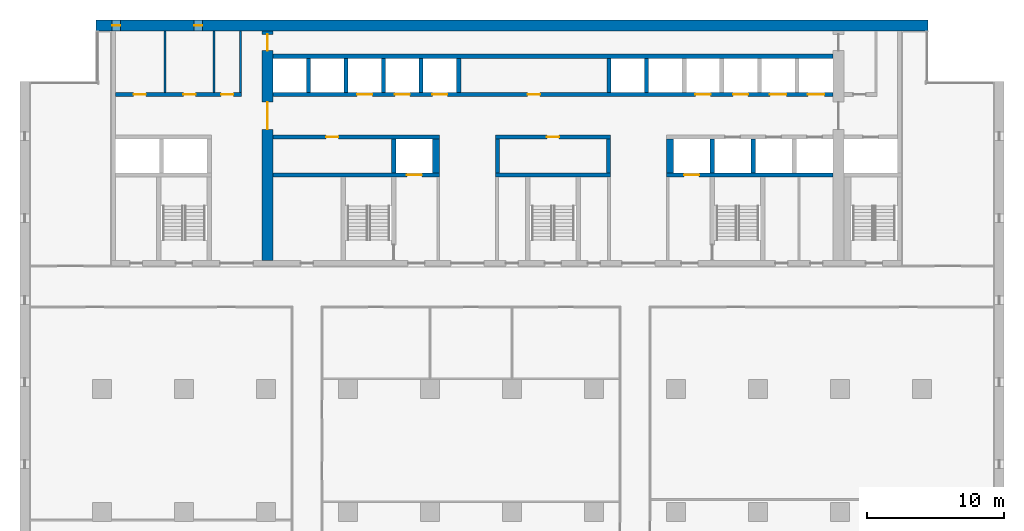
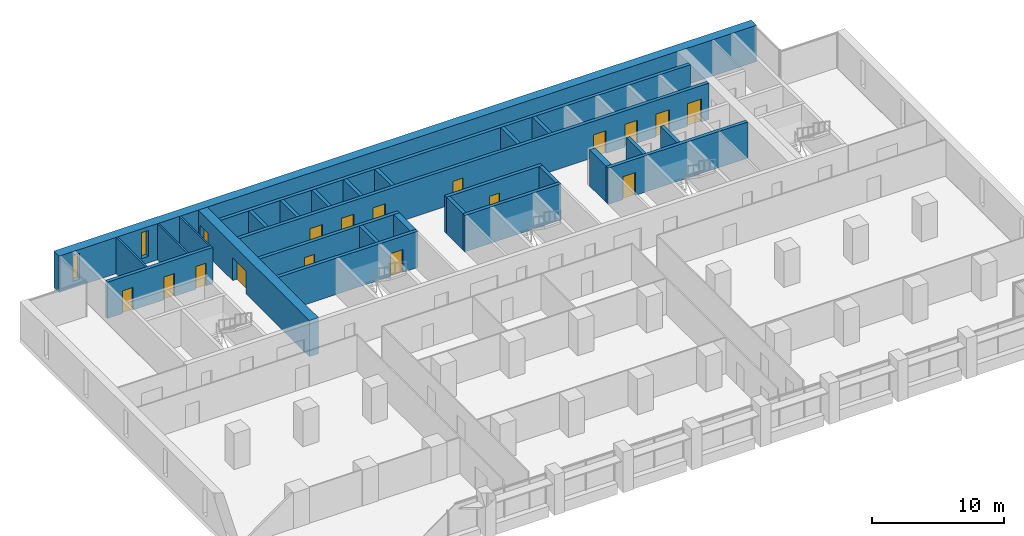
# One storey, part 10 of 15: 27 walls, 17 doors, 2 windows, 19 openings.
"""IFC4 building model written with IfcOpenShell, lengths in metres."""

from ifc_helpers import new_model, si_unit, direction, frame, frame_2d, origin, place, context, subcontext, project, spatial, rectangle, extrude, material, layer, layer_set, type_object, element, fill, save


model = new_model("IFC4")

# Units and contexts
model_context = context("Model", 3, precision=1e-05, world=origin(), true_north=direction((0.0, 1.0)))
body_context = subcontext(model_context, "Body", "Model", "MODEL_VIEW")
ifc_project = project(units=[si_unit("LENGTHUNIT", "METRE"), si_unit("AREAUNIT", "SQUARE_METRE"), si_unit("VOLUMEUNIT", "CUBIC_METRE"), si_unit("PLANEANGLEUNIT", "RADIAN"), si_unit("MASSUNIT", "GRAM", prefix="KILO")], contexts=[model_context])

# Site, building, storey
site_placement = place(None, origin())
site = spatial("IfcSite", under=ifc_project, at=site_placement, CompositionType="ELEMENT")
building_placement = place(site_placement, origin())
building = spatial("IfcBuilding", under=site, at=building_placement, Name="Calvaro Tower", CompositionType="ELEMENT")
storey_placement = place(building_placement, frame((0.0, 0.0, 106.25)))
storey = spatial("IfcBuildingStorey", under=building, at=storey_placement, Name="L26", CompositionType="ELEMENT", Elevation=106.25)

# Walls
ifc_material_1 = material(Name="Blockwork partition", Category="masonry")
ifc_layer_1 = layer(ifc_material_1, 0.14990234375)
ifc_layer_set_1 = layer_set([ifc_layer_1], Name="Blockwork partition")
wall_type_1 = type_object("IfcWallType", Name="Core partition 150 EI 60", PredefinedType="PARTITIONING", material=ifc_layer_set_1)
for number, where, z_axis, x_axis, name in (
    (1, (10.60009765625, 40.699951171875, 0.0), (0.0, 0.0, 1.0), (0.0, 1.0, 0.0), "Core partition"),
    (2, (14.199951171875, 40.699951171875, 0.0), (0.0, 0.0, 1.0), (0.0, 1.0, 0.0), "Core partition"),
):
    element("IfcWall", number, at=place(storey_placement, frame(where, z_axis=z_axis, x_axis=x_axis)), inside=storey, type_object=wall_type_1, Name=name, PredefinedType="PARTITIONING", context=body_context, shape_type="SweptSolid", body=[
        extrude(rectangle(XDim=4.5, YDim=0.14990234375, at=frame_2d((2.25, 0.0))), origin(), (0.0, 0.0, 1.0), 3.35009765625),
    ])
ifc_material_2 = material(Name="Blockwork partition", Category="masonry")
ifc_layer_2 = layer(ifc_material_2, 0.14990234375)
ifc_layer_set_2 = layer_set([ifc_layer_2], Name="Blockwork partition")
wall_type_2 = type_object("IfcWallType", Name="Core partition 150 REI 120", PredefinedType="PARTITIONING", material=ifc_layer_set_2)
wall_1_placement = place(storey_placement, frame((16.125, 40.699951171875, 0.0), z_axis=(0.0, 0.0, 1.0), x_axis=(0.0, 1.0, 0.0)))
element("IfcWall", 3, at=wall_1_placement, inside=storey, type_object=wall_type_2, Name="Core partition", PredefinedType="PARTITIONING", context=body_context, shape_type="SweptSolid", body=[
    extrude(rectangle(XDim=4.5, YDim=0.14990234375, at=frame_2d((2.25, 0.0))), origin(), (0.0, 0.0, 1.0), 3.35009765625),
])

# Wall, openings, doors
ifc_material_3 = material(Name="Blockwork partition", Category="masonry")
ifc_layer_3 = layer(ifc_material_3, 0.300048828125)
ifc_layer_set_3 = layer_set([ifc_layer_3], Name="Blockwork partition")
wall_type_3 = type_object("IfcWallType", Name="Core partition 300 REI 120", PredefinedType="PARTITIONING", material=ifc_layer_set_3)
wall_2_placement = place(storey_placement, frame((7.0, 40.550048828125, 0.0), z_axis=(0.0, 0.0, 1.0), x_axis=(1.0, 0.0, 0.0)))
wall_2 = element("IfcWall", 4, at=wall_2_placement, inside=storey, type_object=wall_type_3, Name="Core partition", PredefinedType="PARTITIONING", context=body_context, shape_type="SweptSolid", body=[
    extrude(rectangle(XDim=9.199951171875, YDim=0.300048828125, at=frame_2d((4.60009765625, 0.0))), origin(), (0.0, 0.0, 1.0), 3.35009765625),
])
opening_1_placement = place(wall_2_placement, frame((1.3125, 0.0, 0.0)))
opening_1 = element("IfcOpeningElement", 5, at=opening_1_placement, cuts=wall_2, Name="Opening RD9", PredefinedType="OPENING", context=body_context, shape_type="SweptSolid", body=[
    extrude(rectangle(XDim=0.89990234375, YDim=2.10009765625, at=frame_2d((0.449951171875, 1.050048828125))), frame((0.0, 0.159912109375, 0.0), z_axis=(0.0, -1.0, 0.0), x_axis=(1.0, 0.0, 0.0)), (0.0, 0.0, 1.0), 0.320068359375),
])
opening_2_placement = place(wall_2_placement, frame((4.949951171875, 0.0, 0.0)))
opening_2 = element("IfcOpeningElement", 6, at=opening_2_placement, cuts=wall_2, Name="Opening RD9", PredefinedType="OPENING", context=body_context, shape_type="SweptSolid", body=[
    extrude(rectangle(XDim=0.89990234375, YDim=2.10009765625, at=frame_2d((0.449951171875, 1.050048828125))), frame((0.0, 0.159912109375, 0.0), z_axis=(0.0, -1.0, 0.0), x_axis=(1.0, 0.0, 0.0)), (0.0, 0.0, 1.0), 0.320068359375),
])
opening_3_placement = place(wall_2_placement, frame((7.71240234375, 0.0, 0.0)))
opening_3 = element("IfcOpeningElement", 7, at=opening_3_placement, cuts=wall_2, Name="Opening RD9", PredefinedType="OPENING", context=body_context, shape_type="SweptSolid", body=[
    extrude(rectangle(XDim=0.89990234375, YDim=2.10009765625, at=frame_2d((0.449951171875, 1.050048828125))), frame((0.0, 0.159912109375, 0.0), z_axis=(0.0, -1.0, 0.0), x_axis=(1.0, 0.0, 0.0)), (0.0, 0.0, 1.0), 0.320068359375),
])
ifc_material_4 = material(Name="Steel door set", Category="steel")
door_type_1 = type_object("IfcDoorType", Name="Room door 900", OperationType="SINGLE_SWING_LEFT", PredefinedType="DOOR", material=ifc_material_4)
door_1_placement = place(opening_1_placement, origin())
door_1 = element("IfcDoor", 8, at=door_1_placement, inside=storey, type_object=door_type_1, Name="Room door", OperationType="SINGLE_SWING_LEFT", OverallHeight=2.10009765625, OverallWidth=0.89990234375, PredefinedType="DOOR", context=body_context, shape_type="SweptSolid", body=[
    extrude(rectangle(XDim=0.89990234375, YDim=2.10009765625, at=frame_2d((0.449951171875, 1.050048828125))), frame((0.0, 0.02490234375, 0.0), z_axis=(0.0, -1.0, 0.0), x_axis=(1.0, 0.0, 0.0)), (0.0, 0.0, 1.0), 0.050048828125),
])
fill(opening_1, door_1)
door_2_placement = place(opening_2_placement, origin())
door_2 = element("IfcDoor", 9, at=door_2_placement, inside=storey, type_object=door_type_1, Name="Room door", OperationType="SINGLE_SWING_LEFT", OverallHeight=2.10009765625, OverallWidth=0.89990234375, PredefinedType="DOOR", context=body_context, shape_type="SweptSolid", body=[
    extrude(rectangle(XDim=0.89990234375, YDim=2.10009765625, at=frame_2d((0.449951171875, 1.050048828125))), frame((0.0, 0.02490234375, 0.0), z_axis=(0.0, -1.0, 0.0), x_axis=(1.0, 0.0, 0.0)), (0.0, 0.0, 1.0), 0.050048828125),
])
fill(opening_2, door_2)
door_3_placement = place(opening_3_placement, origin())
door_3 = element("IfcDoor", 10, at=door_3_placement, inside=storey, type_object=door_type_1, Name="Room door", OperationType="SINGLE_SWING_LEFT", OverallHeight=2.10009765625, OverallWidth=0.89990234375, PredefinedType="DOOR", context=body_context, shape_type="SweptSolid", body=[
    extrude(rectangle(XDim=0.89990234375, YDim=2.10009765625, at=frame_2d((0.449951171875, 1.050048828125))), frame((0.0, 0.02490234375, 0.0), z_axis=(0.0, -1.0, 0.0), x_axis=(1.0, 0.0, 0.0)), (0.0, 0.0, 1.0), 0.050048828125),
])
fill(opening_3, door_3)

# Wall, opening, door
ifc_material_5 = material(Name="Concrete C60/75", Category="concrete")
ifc_layer_4 = layer(ifc_material_5, 0.300048828125)
ifc_layer_set_4 = layer_set([ifc_layer_4], Name="Concrete C60/75")
wall_type_4 = type_object("IfcWallType", Name="Core wall C60/75 300", PredefinedType="SHEAR", material=ifc_layer_set_4)
wall_3_placement = place(storey_placement, frame((18.5, 34.64990234375, 0.0), z_axis=(0.0, 0.0, 1.0), x_axis=(1.0, 0.0, 0.0)))
wall_3 = element("IfcWall", 11, at=wall_3_placement, inside=storey, type_object=wall_type_4, Name="Core wall, lift shaft", PredefinedType="SHEAR", context=body_context, shape_type="SweptSolid", body=[
    extrude(rectangle(XDim=12.199951171875, YDim=0.300048828125, at=frame_2d((6.10009765625, 0.0))), origin(), (0.0, 0.0, 1.0), 3.35009765625),
])
opening_4_placement = place(wall_3_placement, frame((9.800048828125, 0.0, 0.0)))
opening_4 = element("IfcOpeningElement", 12, at=opening_4_placement, cuts=wall_3, Name="Opening FF1", PredefinedType="OPENING", context=body_context, shape_type="SweptSolid", body=[
    extrude(rectangle(XDim=1.10009765625, YDim=2.10009765625, at=frame_2d((0.550048828125, 1.050048828125))), frame((0.0, 0.159912109375, 0.0), z_axis=(0.0, -1.0, 0.0), x_axis=(1.0, 0.0, 0.0)), (0.0, 0.0, 1.0), 0.320068359375),
])
ifc_material_6 = material(Name="Stainless steel", Category="steel")
door_type_2 = type_object("IfcDoorType", Name="Landing door 1100 E 60", OperationType="SLIDING_TO_LEFT", PredefinedType="DOOR", material=ifc_material_6)
door_4_placement = place(opening_4_placement, origin())
door_4 = element("IfcDoor", 13, at=door_4_placement, inside=storey, type_object=door_type_2, Name="Landing door FF1", OperationType="SLIDING_TO_LEFT", OverallHeight=2.10009765625, OverallWidth=1.10009765625, PredefinedType="DOOR", context=body_context, shape_type="SweptSolid", body=[
    extrude(rectangle(XDim=1.10009765625, YDim=2.10009765625, at=frame_2d((0.550048828125, 1.050048828125))), frame((0.0, 0.02490234375, 0.0), z_axis=(0.0, -1.0, 0.0), x_axis=(1.0, 0.0, 0.0)), (0.0, 0.0, 1.0), 0.050048828125),
])
fill(opening_4, door_4)

# Wall
wall_4_placement = place(storey_placement, frame((34.800048828125, 34.64990234375, 0.0), z_axis=(0.0, 0.0, 1.0), x_axis=(1.0, 0.0, 0.0)))
element("IfcWall", 14, at=wall_4_placement, inside=storey, type_object=wall_type_4, Name="Core wall, lift shaft", PredefinedType="SHEAR", context=body_context, shape_type="SweptSolid", body=[
    extrude(rectangle(XDim=8.39990234375, YDim=0.300048828125, at=frame_2d((4.199951171875, 0.0))), origin(), (0.0, 0.0, 1.0), 3.35009765625),
])

# Wall, opening, door
wall_5_placement = place(storey_placement, frame((47.300048828125, 34.64990234375, 0.0), z_axis=(0.0, 0.0, 1.0), x_axis=(1.0, 0.0, 0.0)))
wall_5 = element("IfcWall", 15, at=wall_5_placement, inside=storey, type_object=wall_type_4, Name="Core wall, lift shaft", PredefinedType="SHEAR", context=body_context, shape_type="SweptSolid", body=[
    extrude(rectangle(XDim=12.199951171875, YDim=0.300048828125, at=frame_2d((6.10009765625, 0.0))), origin(), (0.0, 0.0, 1.0), 3.35009765625),
])
opening_5_placement = place(wall_5_placement, frame((1.300048828125, 0.0, 0.0)))
opening_5 = element("IfcOpeningElement", 16, at=opening_5_placement, cuts=wall_5, Name="Opening FF2", PredefinedType="OPENING", context=body_context, shape_type="SweptSolid", body=[
    extrude(rectangle(XDim=1.10009765625, YDim=2.10009765625, at=frame_2d((0.550048828125, 1.050048828125))), frame((0.0, 0.159912109375, 0.0), z_axis=(0.0, -1.0, 0.0), x_axis=(1.0, 0.0, 0.0)), (0.0, 0.0, 1.0), 0.320068359375),
])
door_5_placement = place(opening_5_placement, origin())
door_5 = element("IfcDoor", 17, at=door_5_placement, inside=storey, type_object=door_type_2, Name="Landing door FF2", OperationType="SLIDING_TO_LEFT", OverallHeight=2.10009765625, OverallWidth=1.10009765625, PredefinedType="DOOR", context=body_context, shape_type="SweptSolid", body=[
    extrude(rectangle(XDim=1.10009765625, YDim=2.10009765625, at=frame_2d((0.550048828125, 1.050048828125))), frame((0.0, 0.02490234375, 0.0), z_axis=(0.0, -1.0, 0.0), x_axis=(1.0, 0.0, 0.0)), (0.0, 0.0, 1.0), 0.050048828125),
])
fill(opening_5, door_5)

wall_6_placement = place(storey_placement, frame((30.699951171875, 37.449951171875, 0.0), z_axis=(0.0, 0.0, 1.0), x_axis=(-1.0, 0.0, 0.0)))
wall_6 = element("IfcWall", 18, at=wall_6_placement, inside=storey, type_object=wall_type_4, Name="Core wall, bay", PredefinedType="SHEAR", context=body_context, shape_type="SweptSolid", body=[
    extrude(rectangle(XDim=12.199951171875, YDim=0.300048828125, at=frame_2d((6.10009765625, 0.0))), origin(), (0.0, 0.0, 1.0), 3.35009765625),
])
opening_6_placement = place(wall_6_placement, frame((7.39990234375, 0.0, 0.0)))
opening_6 = element("IfcOpeningElement", 19, at=opening_6_placement, cuts=wall_6, Name="Opening RD9E", PredefinedType="OPENING", context=body_context, shape_type="SweptSolid", body=[
    extrude(rectangle(XDim=0.89990234375, YDim=2.10009765625, at=frame_2d((0.449951171875, 1.050048828125))), frame((0.0, 0.159912109375, 0.0), z_axis=(0.0, -1.0, 0.0), x_axis=(1.0, 0.0, 0.0)), (0.0, 0.0, 1.0), 0.320068359375),
])
ifc_material_7 = material(Name="Steel door set", Category="steel")
door_type_3 = type_object("IfcDoorType", Name="Room door 900 FD60", OperationType="SINGLE_SWING_LEFT", PredefinedType="DOOR", material=ifc_material_7)
door_6_placement = place(opening_6_placement, origin())
door_6 = element("IfcDoor", 20, at=door_6_placement, inside=storey, type_object=door_type_3, Name="Room door", OperationType="SINGLE_SWING_LEFT", OverallHeight=2.10009765625, OverallWidth=0.89990234375, PredefinedType="DOOR", context=body_context, shape_type="SweptSolid", body=[
    extrude(rectangle(XDim=0.89990234375, YDim=2.10009765625, at=frame_2d((0.449951171875, 1.050048828125))), frame((0.0, 0.02490234375, 0.0), z_axis=(0.0, -1.0, 0.0), x_axis=(1.0, 0.0, 0.0)), (0.0, 0.0, 1.0), 0.050048828125),
])
fill(opening_6, door_6)

wall_7_placement = place(storey_placement, frame((43.199951171875, 37.449951171875, 0.0), z_axis=(0.0, 0.0, 1.0), x_axis=(-1.0, 0.0, 0.0)))
wall_7 = element("IfcWall", 21, at=wall_7_placement, inside=storey, type_object=wall_type_4, Name="Core wall, bay", PredefinedType="SHEAR", context=body_context, shape_type="SweptSolid", body=[
    extrude(rectangle(XDim=8.39990234375, YDim=0.300048828125, at=frame_2d((4.199951171875, 0.0))), origin(), (0.0, 0.0, 1.0), 3.35009765625),
])
opening_7_placement = place(wall_7_placement, frame((3.75, 0.0, 0.0)))
opening_7 = element("IfcOpeningElement", 22, at=opening_7_placement, cuts=wall_7, Name="Opening RD9E", PredefinedType="OPENING", context=body_context, shape_type="SweptSolid", body=[
    extrude(rectangle(XDim=0.89990234375, YDim=2.10009765625, at=frame_2d((0.449951171875, 1.050048828125))), frame((0.0, 0.159912109375, 0.0), z_axis=(0.0, -1.0, 0.0), x_axis=(1.0, 0.0, 0.0)), (0.0, 0.0, 1.0), 0.320068359375),
])
door_7_placement = place(opening_7_placement, origin())
door_7 = element("IfcDoor", 23, at=door_7_placement, inside=storey, type_object=door_type_3, Name="Room door", OperationType="SINGLE_SWING_RIGHT", OverallHeight=2.10009765625, OverallWidth=0.89990234375, PredefinedType="DOOR", context=body_context, shape_type="SweptSolid", body=[
    extrude(rectangle(XDim=0.89990234375, YDim=2.10009765625, at=frame_2d((0.449951171875, 1.050048828125))), frame((0.0, 0.02490234375, 0.0), z_axis=(0.0, -1.0, 0.0), x_axis=(1.0, 0.0, 0.0)), (0.0, 0.0, 1.0), 0.050048828125),
])
fill(opening_7, door_7)

# Walls
for number, where, z_axis, x_axis, name in (
    (24, (27.35009765625, 34.800048828125, 0.0), (0.0, 0.0, 1.0), (0.0, 1.0, 0.0), "Core wall, lift shaft"),
    (25, (34.949951171875, 34.800048828125, 0.0), (0.0, 0.0, 1.0), (0.0, 1.0, 0.0), "Core wall, lift shaft"),
    (26, (43.050048828125, 34.800048828125, 0.0), (0.0, 0.0, 1.0), (0.0, 1.0, 0.0), "Core wall, lift shaft"),
    (27, (50.64990234375, 34.800048828125, 0.0), (0.0, 0.0, 1.0), (0.0, 1.0, 0.0), "Core wall, lift shaft"),
):
    element("IfcWall", number, at=place(storey_placement, frame(where, z_axis=z_axis, x_axis=x_axis)), inside=storey, type_object=wall_type_4, Name=name, PredefinedType="SHEAR", context=body_context, shape_type="SweptSolid", body=[
        extrude(rectangle(XDim=2.5, YDim=0.300048828125, at=frame_2d((1.25, 0.0))), origin(), (0.0, 0.0, 1.0), 3.35009765625),
    ])

# Wall, openings, doors
wall_8_placement = place(storey_placement, frame((18.5, 40.550048828125, 0.0), z_axis=(0.0, 0.0, 1.0), x_axis=(1.0, 0.0, 0.0)))
wall_8 = element("IfcWall", 28, at=wall_8_placement, inside=storey, type_object=wall_type_4, Name="Core wall, bay", PredefinedType="SHEAR", context=body_context, shape_type="SweptSolid", body=[
    extrude(rectangle(XDim=41.0, YDim=0.300048828125, at=frame_2d((20.5, 0.0))), origin(), (0.0, 0.0, 1.0), 3.35009765625),
])
opening_8_placement = place(wall_8_placement, frame((18.64990234375, 0.0, 0.0)))
opening_8 = element("IfcOpeningElement", 29, at=opening_8_placement, cuts=wall_8, Name="Opening RD9E", PredefinedType="OPENING", context=body_context, shape_type="SweptSolid", body=[
    extrude(rectangle(XDim=0.89990234375, YDim=2.10009765625, at=frame_2d((0.449951171875, 1.050048828125))), frame((0.0, 0.159912109375, 0.0), z_axis=(0.0, -1.0, 0.0), x_axis=(1.0, 0.0, 0.0)), (0.0, 0.0, 1.0), 0.320068359375),
])
opening_9_placement = place(wall_8_placement, frame((6.175048828125, 0.0, 0.0)))
opening_9 = element("IfcOpeningElement", 30, at=opening_9_placement, cuts=wall_8, Name="Opening MR4", PredefinedType="OPENING", context=body_context, shape_type="SweptSolid", body=[
    extrude(rectangle(XDim=1.10009765625, YDim=2.10009765625, at=frame_2d((0.550048828125, 1.050048828125))), frame((0.0, 0.159912109375, 0.0), z_axis=(0.0, -1.0, 0.0), x_axis=(1.0, 0.0, 0.0)), (0.0, 0.0, 1.0), 0.320068359375),
])
opening_10_placement = place(wall_8_placement, frame((8.925048828125, 0.0, 0.0)))
opening_10 = element("IfcOpeningElement", 31, at=opening_10_placement, cuts=wall_8, Name="Opening MR5", PredefinedType="OPENING", context=body_context, shape_type="SweptSolid", body=[
    extrude(rectangle(XDim=1.10009765625, YDim=2.10009765625, at=frame_2d((0.550048828125, 1.050048828125))), frame((0.0, 0.159912109375, 0.0), z_axis=(0.0, -1.0, 0.0), x_axis=(1.0, 0.0, 0.0)), (0.0, 0.0, 1.0), 0.320068359375),
])
opening_11_placement = place(wall_8_placement, frame((11.675048828125, 0.0, 0.0)))
opening_11 = element("IfcOpeningElement", 32, at=opening_11_placement, cuts=wall_8, Name="Opening MR6", PredefinedType="OPENING", context=body_context, shape_type="SweptSolid", body=[
    extrude(rectangle(XDim=1.10009765625, YDim=2.10009765625, at=frame_2d((0.550048828125, 1.050048828125))), frame((0.0, 0.159912109375, 0.0), z_axis=(0.0, -1.0, 0.0), x_axis=(1.0, 0.0, 0.0)), (0.0, 0.0, 1.0), 0.320068359375),
])
opening_12_placement = place(wall_8_placement, frame((30.925048828125, 0.0, 0.0)))
opening_12 = element("IfcOpeningElement", 33, at=opening_12_placement, cuts=wall_8, Name="Opening MR7", PredefinedType="OPENING", context=body_context, shape_type="SweptSolid", body=[
    extrude(rectangle(XDim=1.10009765625, YDim=2.10009765625, at=frame_2d((0.550048828125, 1.050048828125))), frame((0.0, 0.159912109375, 0.0), z_axis=(0.0, -1.0, 0.0), x_axis=(1.0, 0.0, 0.0)), (0.0, 0.0, 1.0), 0.320068359375),
])
opening_13_placement = place(wall_8_placement, frame((33.675048828125, 0.0, 0.0)))
opening_13 = element("IfcOpeningElement", 34, at=opening_13_placement, cuts=wall_8, Name="Opening MR8", PredefinedType="OPENING", context=body_context, shape_type="SweptSolid", body=[
    extrude(rectangle(XDim=1.10009765625, YDim=2.10009765625, at=frame_2d((0.550048828125, 1.050048828125))), frame((0.0, 0.159912109375, 0.0), z_axis=(0.0, -1.0, 0.0), x_axis=(1.0, 0.0, 0.0)), (0.0, 0.0, 1.0), 0.320068359375),
])
opening_14_placement = place(wall_8_placement, frame((36.375, 0.0, 0.0)))
opening_14 = element("IfcOpeningElement", 35, at=opening_14_placement, cuts=wall_8, Name="Opening SV1", PredefinedType="OPENING", context=body_context, shape_type="SweptSolid", body=[
    extrude(rectangle(XDim=1.199951171875, YDim=2.10009765625, at=frame_2d((0.60009765625, 1.050048828125))), frame((0.0, 0.159912109375, 0.0), z_axis=(0.0, -1.0, 0.0), x_axis=(1.0, 0.0, 0.0)), (0.0, 0.0, 1.0), 0.320068359375),
])
opening_15_placement = place(wall_8_placement, frame((39.14990234375, 0.0, 0.0)))
opening_15 = element("IfcOpeningElement", 36, at=opening_15_placement, cuts=wall_8, Name="Opening SV2", PredefinedType="OPENING", context=body_context, shape_type="SweptSolid", body=[
    extrude(rectangle(XDim=1.199951171875, YDim=2.10009765625, at=frame_2d((0.60009765625, 1.050048828125))), frame((0.0, 0.159912109375, 0.0), z_axis=(0.0, -1.0, 0.0), x_axis=(1.0, 0.0, 0.0)), (0.0, 0.0, 1.0), 0.320068359375),
])
door_8_placement = place(opening_9_placement, origin())
door_8 = element("IfcDoor", 37, at=door_8_placement, inside=storey, type_object=door_type_2, Name="Landing door MR4", OperationType="SLIDING_TO_LEFT", OverallHeight=2.10009765625, OverallWidth=1.10009765625, PredefinedType="DOOR", context=body_context, shape_type="SweptSolid", body=[
    extrude(rectangle(XDim=1.10009765625, YDim=2.10009765625, at=frame_2d((0.550048828125, 1.050048828125))), frame((0.0, 0.02490234375, 0.0), z_axis=(0.0, -1.0, 0.0), x_axis=(1.0, 0.0, 0.0)), (0.0, 0.0, 1.0), 0.050048828125),
])
fill(opening_9, door_8)
door_9_placement = place(opening_10_placement, origin())
door_9 = element("IfcDoor", 38, at=door_9_placement, inside=storey, type_object=door_type_2, Name="Landing door MR5", OperationType="SLIDING_TO_LEFT", OverallHeight=2.10009765625, OverallWidth=1.10009765625, PredefinedType="DOOR", context=body_context, shape_type="SweptSolid", body=[
    extrude(rectangle(XDim=1.10009765625, YDim=2.10009765625, at=frame_2d((0.550048828125, 1.050048828125))), frame((0.0, 0.02490234375, 0.0), z_axis=(0.0, -1.0, 0.0), x_axis=(1.0, 0.0, 0.0)), (0.0, 0.0, 1.0), 0.050048828125),
])
fill(opening_10, door_9)
door_10_placement = place(opening_11_placement, origin())
door_10 = element("IfcDoor", 39, at=door_10_placement, inside=storey, type_object=door_type_2, Name="Landing door MR6", OperationType="SLIDING_TO_LEFT", OverallHeight=2.10009765625, OverallWidth=1.10009765625, PredefinedType="DOOR", context=body_context, shape_type="SweptSolid", body=[
    extrude(rectangle(XDim=1.10009765625, YDim=2.10009765625, at=frame_2d((0.550048828125, 1.050048828125))), frame((0.0, 0.02490234375, 0.0), z_axis=(0.0, -1.0, 0.0), x_axis=(1.0, 0.0, 0.0)), (0.0, 0.0, 1.0), 0.050048828125),
])
fill(opening_11, door_10)
door_11_placement = place(opening_12_placement, origin())
door_11 = element("IfcDoor", 40, at=door_11_placement, inside=storey, type_object=door_type_2, Name="Landing door MR7", OperationType="SLIDING_TO_LEFT", OverallHeight=2.10009765625, OverallWidth=1.10009765625, PredefinedType="DOOR", context=body_context, shape_type="SweptSolid", body=[
    extrude(rectangle(XDim=1.10009765625, YDim=2.10009765625, at=frame_2d((0.550048828125, 1.050048828125))), frame((0.0, 0.02490234375, 0.0), z_axis=(0.0, -1.0, 0.0), x_axis=(1.0, 0.0, 0.0)), (0.0, 0.0, 1.0), 0.050048828125),
])
fill(opening_12, door_11)
door_12_placement = place(opening_13_placement, origin())
door_12 = element("IfcDoor", 41, at=door_12_placement, inside=storey, type_object=door_type_2, Name="Landing door MR8", OperationType="SLIDING_TO_LEFT", OverallHeight=2.10009765625, OverallWidth=1.10009765625, PredefinedType="DOOR", context=body_context, shape_type="SweptSolid", body=[
    extrude(rectangle(XDim=1.10009765625, YDim=2.10009765625, at=frame_2d((0.550048828125, 1.050048828125))), frame((0.0, 0.02490234375, 0.0), z_axis=(0.0, -1.0, 0.0), x_axis=(1.0, 0.0, 0.0)), (0.0, 0.0, 1.0), 0.050048828125),
])
fill(opening_13, door_12)
ifc_material_8 = material(Name="Stainless steel", Category="steel")
door_type_4 = type_object("IfcDoorType", Name="Landing door 1200 E 60", OperationType="SLIDING_TO_LEFT", PredefinedType="DOOR", material=ifc_material_8)
door_13_placement = place(opening_14_placement, origin())
door_13 = element("IfcDoor", 42, at=door_13_placement, inside=storey, type_object=door_type_4, Name="Landing door SV1", OperationType="SLIDING_TO_LEFT", OverallHeight=2.10009765625, OverallWidth=1.199951171875, PredefinedType="DOOR", context=body_context, shape_type="SweptSolid", body=[
    extrude(rectangle(XDim=1.199951171875, YDim=2.10009765625, at=frame_2d((0.60009765625, 1.050048828125))), frame((0.0, 0.02490234375, 0.0), z_axis=(0.0, -1.0, 0.0), x_axis=(1.0, 0.0, 0.0)), (0.0, 0.0, 1.0), 0.050048828125),
])
fill(opening_14, door_13)
door_14_placement = place(opening_15_placement, origin())
door_14 = element("IfcDoor", 43, at=door_14_placement, inside=storey, type_object=door_type_4, Name="Landing door SV2", OperationType="SLIDING_TO_LEFT", OverallHeight=2.10009765625, OverallWidth=1.199951171875, PredefinedType="DOOR", context=body_context, shape_type="SweptSolid", body=[
    extrude(rectangle(XDim=1.199951171875, YDim=2.10009765625, at=frame_2d((0.60009765625, 1.050048828125))), frame((0.0, 0.02490234375, 0.0), z_axis=(0.0, -1.0, 0.0), x_axis=(1.0, 0.0, 0.0)), (0.0, 0.0, 1.0), 0.050048828125),
])
fill(opening_15, door_14)
door_15_placement = place(opening_8_placement, origin())
door_15 = element("IfcDoor", 44, at=door_15_placement, inside=storey, type_object=door_type_3, Name="Room door", OperationType="SINGLE_SWING_LEFT", OverallHeight=2.10009765625, OverallWidth=0.89990234375, PredefinedType="DOOR", context=body_context, shape_type="SweptSolid", body=[
    extrude(rectangle(XDim=0.89990234375, YDim=2.10009765625, at=frame_2d((0.449951171875, 1.050048828125))), frame((0.0, 0.02490234375, 0.0), z_axis=(0.0, -1.0, 0.0), x_axis=(1.0, 0.0, 0.0)), (0.0, 0.0, 1.0), 0.050048828125),
])
fill(opening_8, door_15)

# Walls
wall_9_placement = place(storey_placement, frame((18.5, 43.35009765625, 0.0), z_axis=(0.0, 0.0, 1.0), x_axis=(1.0, 0.0, 0.0)))
element("IfcWall", 45, at=wall_9_placement, inside=storey, type_object=wall_type_4, Name="Core wall, lift shaft", PredefinedType="SHEAR", context=body_context, shape_type="SweptSolid", body=[
    extrude(rectangle(XDim=41.0, YDim=0.300048828125, at=frame_2d((20.5, 0.0))), origin(), (0.0, 0.0, 1.0), 3.35009765625),
])
for number, where, z_axis, x_axis, name in (
    (46, (53.64990234375, 34.800048828125, 0.0), (0.0, 0.0, 1.0), (0.0, 1.0, 0.0), "Core wall, lift shaft"),
    (47, (21.10009765625, 40.699951171875, 0.0), (0.0, 0.0, 1.0), (0.0, 1.0, 0.0), "Core wall, lift shaft"),
    (48, (23.85009765625, 40.699951171875, 0.0), (0.0, 0.0, 1.0), (0.0, 1.0, 0.0), "Core wall, lift shaft"),
    (49, (26.60009765625, 40.699951171875, 0.0), (0.0, 0.0, 1.0), (0.0, 1.0, 0.0), "Core wall, lift shaft"),
    (50, (29.35009765625, 40.699951171875, 0.0), (0.0, 0.0, 1.0), (0.0, 1.0, 0.0), "Core wall, lift shaft"),
    (51, (32.10009765625, 40.699951171875, 0.0), (0.0, 0.0, 1.0), (0.0, 1.0, 0.0), "Core wall, lift shaft"),
    (52, (43.10009765625, 40.699951171875, 0.0), (0.0, 0.0, 1.0), (0.0, 1.0, 0.0), "Core wall, lift shaft"),
    (53, (45.85009765625, 40.699951171875, 0.0), (0.0, 0.0, 1.0), (0.0, 1.0, 0.0), "Core wall, lift shaft"),
):
    element("IfcWall", number, at=place(storey_placement, frame(where, z_axis=z_axis, x_axis=x_axis)), inside=storey, type_object=wall_type_4, Name=name, PredefinedType="SHEAR", context=body_context, shape_type="SweptSolid", body=[
        extrude(rectangle(XDim=2.5, YDim=0.300048828125, at=frame_2d((1.25, 0.0))), origin(), (0.0, 0.0, 1.0), 3.35009765625),
    ])
ifc_material_9 = material(Name="Concrete C60/75", Category="concrete")
ifc_layer_5 = layer(ifc_material_9, 0.5)
ifc_layer_set_5 = layer_set([ifc_layer_5], Name="Concrete C60/75")
wall_type_5 = type_object("IfcWallType", Name="Core wall C60/75 500", PredefinedType="SHEAR", material=ifc_layer_set_5)
for number, where, z_axis, x_axis, name in (
    (54, (30.449951171875, 34.800048828125, 0.0), (0.0, 0.0, 1.0), (0.0, 1.0, 0.0), "Core wall, lift shaft"),
    (55, (47.550048828125, 34.800048828125, 0.0), (0.0, 0.0, 1.0), (0.0, 1.0, 0.0), "Core wall, lift shaft"),
):
    element("IfcWall", number, at=place(storey_placement, frame(where, z_axis=z_axis, x_axis=x_axis)), inside=storey, type_object=wall_type_5, Name=name, PredefinedType="SHEAR", context=body_context, shape_type="SweptSolid", body=[
        extrude(rectangle(XDim=2.5, YDim=0.5, at=frame_2d((1.25, 0.0))), origin(), (0.0, 0.0, 1.0), 3.35009765625),
    ])

# Wall, openings, doors
ifc_material_10 = material(Name="Concrete C60/75", Category="concrete")
ifc_layer_6 = layer(ifc_material_10, 0.800048828125)
ifc_layer_set_6 = layer_set([ifc_layer_6], Name="Concrete C60/75")
wall_type_6 = type_object("IfcWallType", Name="Core wall C60/75 800", PredefinedType="SHEAR", material=ifc_layer_set_6)
wall_10_placement = place(storey_placement, frame((18.10009765625, 28.39990234375, 0.0), z_axis=(0.0, 0.0, 1.0), x_axis=(0.0, 1.0, 0.0)))
wall_10 = element("IfcWall", 56, at=wall_10_placement, inside=storey, type_object=wall_type_6, Name="Core wall, cross shear wall", PredefinedType="SHEAR", context=body_context, shape_type="SweptSolid", body=[
    extrude(rectangle(XDim=16.800048828125, YDim=0.800048828125, at=frame_2d((8.39990234375, 0.0))), origin(), (0.0, 0.0, 1.0), 3.35009765625),
])
opening_16_placement = place(wall_10_placement, frame((9.60009765625, 0.0, 0.0)))
opening_16 = element("IfcOpeningElement", 57, at=opening_16_placement, cuts=wall_10, Name="Opening DD20D", PredefinedType="OPENING", context=body_context, shape_type="SweptSolid", body=[
    extrude(rectangle(XDim=2.0, YDim=2.10009765625, at=frame_2d((1.0, 1.050048828125))), frame((0.0, 0.409912109375, 0.0), z_axis=(0.0, -1.0, 0.0), x_axis=(1.0, 0.0, 0.0)), (0.0, 0.0, 1.0), 0.820068359375),
])
opening_17_placement = place(wall_10_placement, frame((15.35009765625, 0.0, 0.0)))
opening_17 = element("IfcOpeningElement", 58, at=opening_17_placement, cuts=wall_10, Name="Opening FD12C", PredefinedType="OPENING", context=body_context, shape_type="SweptSolid", body=[
    extrude(rectangle(XDim=1.199951171875, YDim=2.10009765625, at=frame_2d((0.60009765625, 1.050048828125))), frame((0.0, 0.409912109375, 0.0), z_axis=(0.0, -1.0, 0.0), x_axis=(1.0, 0.0, 0.0)), (0.0, 0.0, 1.0), 0.820068359375),
])
ifc_material_11 = material(Name="Steel door set", Category="steel")
door_type_5 = type_object("IfcDoorType", Name="Fire door 1200 FD30", OperationType="SINGLE_SWING_LEFT", PredefinedType="DOOR", material=ifc_material_11)
door_16_placement = place(opening_17_placement, origin())
door_16 = element("IfcDoor", 59, at=door_16_placement, inside=storey, type_object=door_type_5, Name="Fire door", OperationType="SINGLE_SWING_LEFT", OverallHeight=2.10009765625, OverallWidth=1.199951171875, PredefinedType="DOOR", context=body_context, shape_type="SweptSolid", body=[
    extrude(rectangle(XDim=1.199951171875, YDim=2.10009765625, at=frame_2d((0.60009765625, 1.050048828125))), frame((0.0, 0.02490234375, 0.0), z_axis=(0.0, -1.0, 0.0), x_axis=(1.0, 0.0, 0.0)), (0.0, 0.0, 1.0), 0.050048828125),
])
fill(opening_17, door_16)
ifc_material_12 = material(Name="Steel door set", Category="steel")
door_type_6 = type_object("IfcDoorType", Name="Lobby double door 2000 FD30S", OperationType="DOUBLE_DOOR_SINGLE_SWING", PredefinedType="DOOR", material=ifc_material_12)
door_17_placement = place(opening_16_placement, origin())
door_17 = element("IfcDoor", 60, at=door_17_placement, inside=storey, type_object=door_type_6, Name="Lobby double door", OperationType="DOUBLE_DOOR_SINGLE_SWING", OverallHeight=2.10009765625, OverallWidth=2.0, PredefinedType="DOOR", context=body_context, shape_type="SweptSolid", body=[
    extrude(rectangle(XDim=2.0, YDim=2.10009765625, at=frame_2d((1.0, 1.050048828125))), frame((0.0, 0.02490234375, 0.0), z_axis=(0.0, -1.0, 0.0), x_axis=(1.0, 0.0, 0.0)), (0.0, 0.0, 1.0), 0.050048828125),
])
fill(opening_16, door_17)

# Wall, openings, windows
ifc_material_13 = material(Name="Concrete C60/75", Category="concrete")
ifc_layer_7 = layer(ifc_material_13, 0.800048828125)
ifc_layer_set_7 = layer_set([ifc_layer_7], Name="Concrete C60/75")
wall_type_7 = type_object("IfcWallType", Name="Rear core wall 800 C60/75", PredefinedType="SHEAR", material=ifc_layer_set_7)
wall_11_placement = place(storey_placement, frame((5.550048828125, 45.60009765625, 0.0), z_axis=(0.0, 0.0, 1.0), x_axis=(1.0, 0.0, 0.0)))
wall_11 = element("IfcWall", 61, at=wall_11_placement, inside=storey, type_object=wall_type_7, Name="North core wall", PredefinedType="SHEAR", context=body_context, shape_type="SweptSolid", body=[
    extrude(rectangle(XDim=60.89990234375, YDim=0.800048828125, at=frame_2d((30.449951171875, 0.0))), origin(), (0.0, 0.0, 1.0), 3.35009765625),
])
opening_18_placement = place(wall_11_placement, frame((1.199951171875, 0.0, 0.60009765625)))
opening_18 = element("IfcOpeningElement", 62, at=opening_18_placement, cuts=wall_11, Name="Opening WN01", PredefinedType="OPENING", context=body_context, shape_type="SweptSolid", body=[
    extrude(rectangle(XDim=0.60009765625, YDim=2.39990234375, at=frame_2d((0.300048828125, 1.199951171875))), frame((0.0, 0.409912109375, 0.0), z_axis=(0.0, -1.0, 0.0), x_axis=(1.0, 0.0, 0.0)), (0.0, 0.0, 1.0), 0.820068359375),
])
opening_19_placement = place(wall_11_placement, frame((7.199951171875, 0.0, 0.60009765625)))
opening_19 = element("IfcOpeningElement", 63, at=opening_19_placement, cuts=wall_11, Name="Opening WN02", PredefinedType="OPENING", context=body_context, shape_type="SweptSolid", body=[
    extrude(rectangle(XDim=0.60009765625, YDim=2.39990234375, at=frame_2d((0.300048828125, 1.199951171875))), frame((0.0, 0.409912109375, 0.0), z_axis=(0.0, -1.0, 0.0), x_axis=(1.0, 0.0, 0.0)), (0.0, 0.0, 1.0), 0.820068359375),
])
ifc_material_14 = material(Name="Glass", Category="glass")
window_type = type_object("IfcWindowType", Name="Slit window 600 x 2400", PartitioningType="SINGLE_PANEL", PredefinedType="WINDOW", material=ifc_material_14)
window_1_placement = place(opening_18_placement, origin())
window_1 = element("IfcWindow", 64, at=window_1_placement, inside=storey, type_object=window_type, Name="Window WN01", OverallHeight=2.39990234375, OverallWidth=0.60009765625, PartitioningType="SINGLE_PANEL", PredefinedType="WINDOW", context=body_context, shape_type="SweptSolid", body=[
    extrude(rectangle(XDim=0.60009765625, YDim=2.39990234375, at=frame_2d((0.300048828125, 1.199951171875))), frame((0.0, 0.030029296875, 0.0), z_axis=(0.0, -1.0, 0.0), x_axis=(1.0, 0.0, 0.0)), (0.0, 0.0, 1.0), 0.06005859375),
])
fill(opening_18, window_1)
window_2_placement = place(opening_19_placement, origin())
window_2 = element("IfcWindow", 65, at=window_2_placement, inside=storey, type_object=window_type, Name="Window WN02", OverallHeight=2.39990234375, OverallWidth=0.60009765625, PartitioningType="SINGLE_PANEL", PredefinedType="WINDOW", context=body_context, shape_type="SweptSolid", body=[
    extrude(rectangle(XDim=0.60009765625, YDim=2.39990234375, at=frame_2d((0.300048828125, 1.199951171875))), frame((0.0, 0.030029296875, 0.0), z_axis=(0.0, -1.0, 0.0), x_axis=(1.0, 0.0, 0.0)), (0.0, 0.0, 1.0), 0.06005859375),
])
fill(opening_19, window_2)

save(model, "model.ifc")
